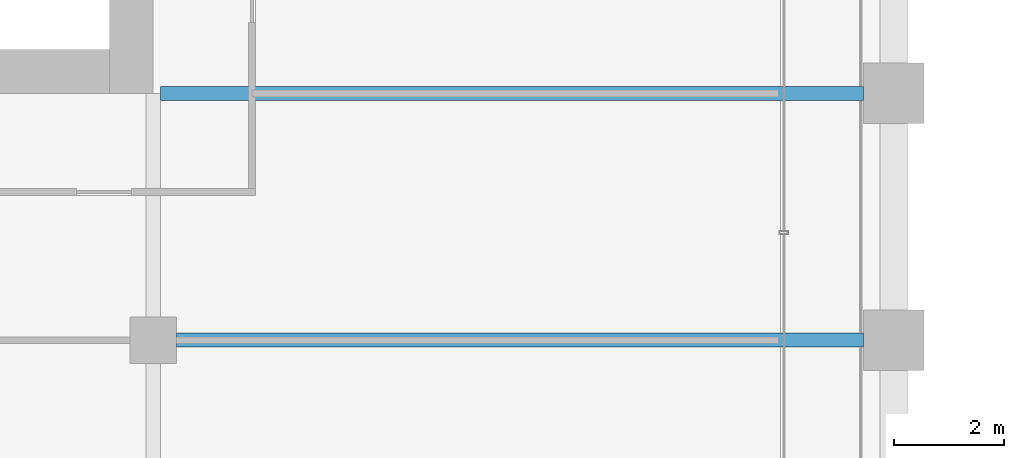
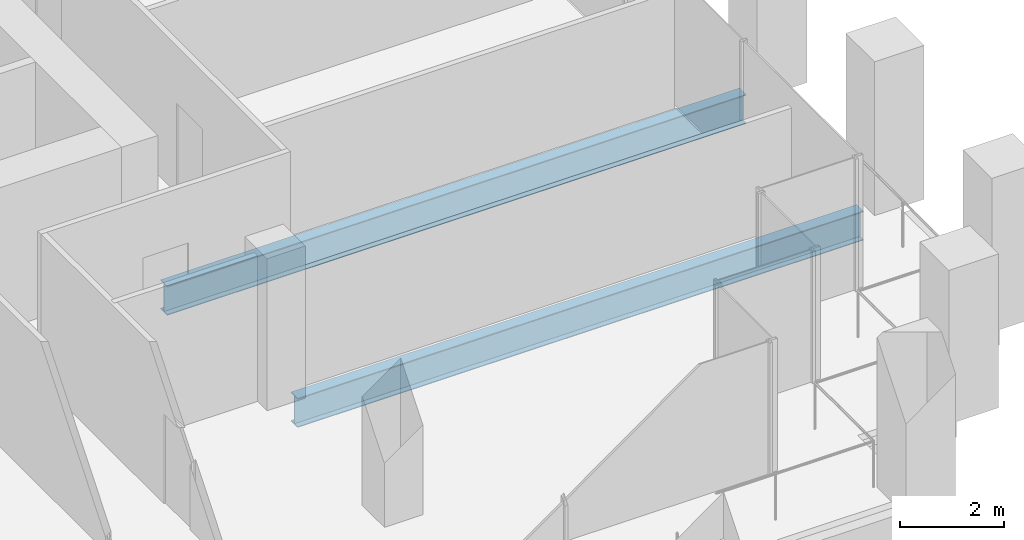
# One storey, part 17 of 56: 2 beams.
"""IFC4 building model written with IfcOpenShell, lengths in metres."""

from ifc_helpers import new_model, si_unit, direction, frame, origin, origin_2d, place, context, subcontext, project, spatial, i_section, extrude, material, material_profile, profile_set, type_object, element, save


model = new_model("IFC4")

# Units and contexts
model_context = context("Model", 3, precision=1e-05, world=origin(), true_north=direction((0.0, 1.0)))
body_context = subcontext(model_context, "Body", "Model", "MODEL_VIEW")
ifc_project = project(units=[si_unit("LENGTHUNIT", "METRE"), si_unit("AREAUNIT", "SQUARE_METRE"), si_unit("VOLUMEUNIT", "CUBIC_METRE"), si_unit("PLANEANGLEUNIT", "RADIAN"), si_unit("MASSUNIT", "GRAM", prefix="KILO")], contexts=[model_context])

# Site, building, storey
site_placement = place(None, origin())
site = spatial("IfcSite", under=ifc_project, at=site_placement, CompositionType="ELEMENT")
building_placement = place(site_placement, origin())
building = spatial("IfcBuilding", under=site, at=building_placement, Name="Altepetl Exchange Towers", CompositionType="ELEMENT")
storey_placement = place(building_placement, frame((0.0, 0.0, 76.199951171875)))
storey = spatial("IfcBuildingStorey", under=building, at=storey_placement, Name="L18", CompositionType="ELEMENT", Elevation=76.199951171875)

# Beams
ifc_material = material(Name="Steel S355", Category="steel")
ifc_material_profile = material_profile(ifc_material, i_section(OverallWidth=0.25390625, OverallDepth=0.68408203125, WebThickness=0.012451171875, FlangeThickness=0.018798828125, at=origin_2d()), Name="W27X94")
ifc_profile_set = profile_set([ifc_material_profile], Name="Steel S355")
beam_type = type_object("IfcBeamType", Name="Floor beam W27X94", PredefinedType="BEAM", material=ifc_profile_set)
beam_1_placement = place(storey_placement, frame((58.925048828125, 36.0, -0.491943359375), z_axis=(1.0, 0.0, 0.0), x_axis=(0.0, 1.0, 0.0)))
element("IfcBeam", 1, at=beam_1_placement, inside=storey, type_object=beam_type, Name="bm:A:L18:007", PredefinedType="BEAM", context=body_context, shape_type="SweptSolid", body=[
    extrude(i_section(OverallWidth=0.25390625, OverallDepth=0.68408203125, WebThickness=0.012451171875, FlangeThickness=0.018798828125, at=origin_2d()), origin(), (0.0, 0.0, 1.0), 12.52490234375),
])
beam_2_placement = place(storey_placement, frame((58.634033203125, 40.5, -0.491943359375), z_axis=(1.0, 0.0, 0.0), x_axis=(0.0, 1.0, 0.0)))
element("IfcBeam", 2, at=beam_2_placement, inside=storey, type_object=beam_type, Name="bm:A:L18:008", PredefinedType="BEAM", context=body_context, shape_type="SweptSolid", body=[
    extrude(i_section(OverallWidth=0.25390625, OverallDepth=0.68408203125, WebThickness=0.012451171875, FlangeThickness=0.018798828125, at=origin_2d()), origin(), (0.0, 0.0, 1.0), 12.81591796875),
])

save(model, "model.ifc")
